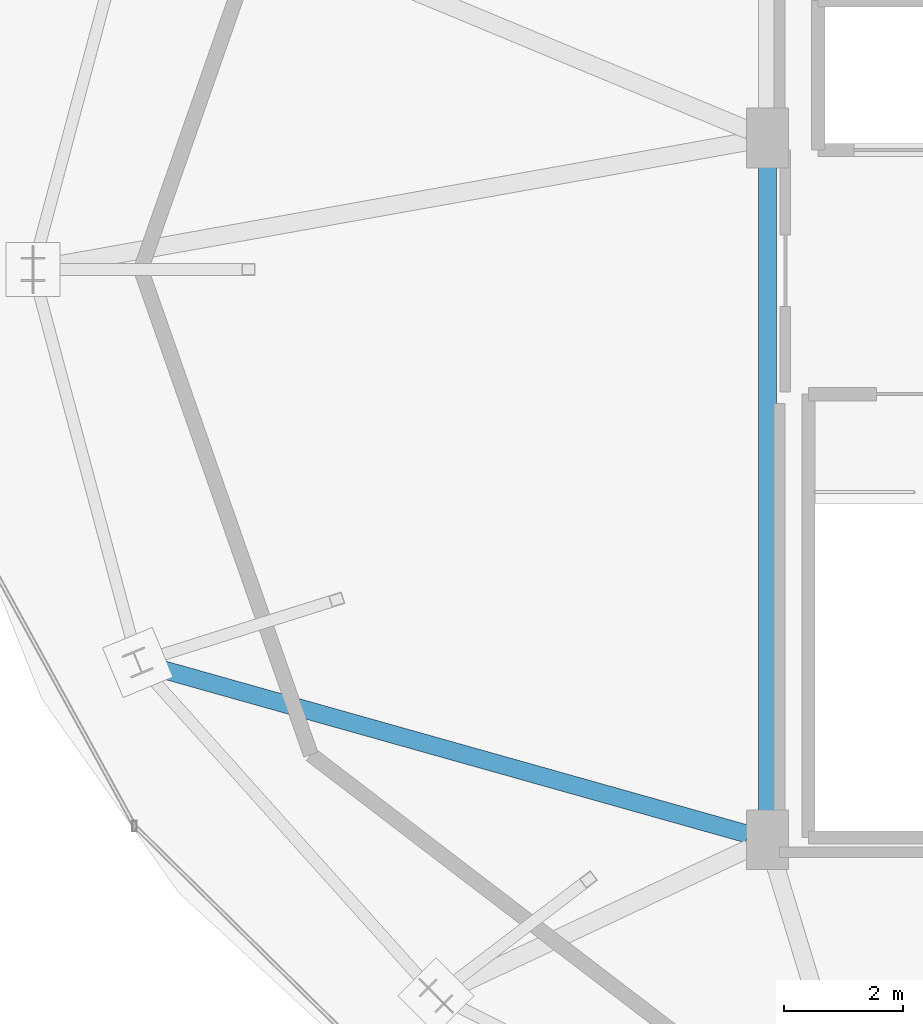
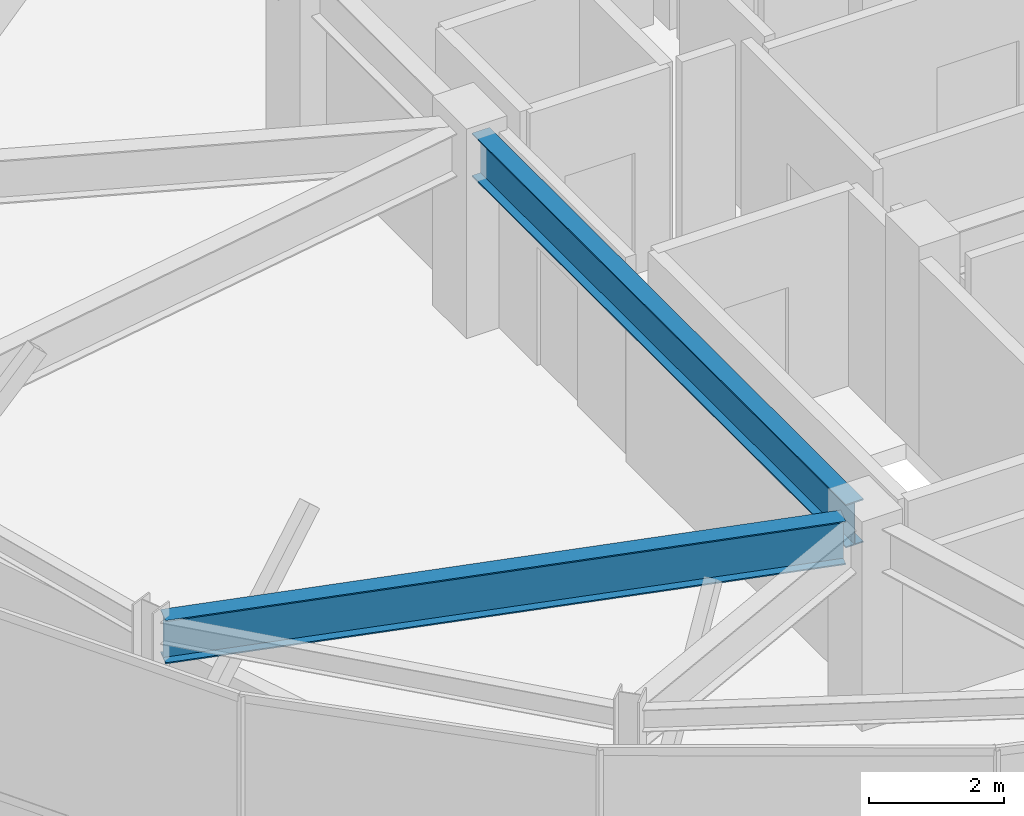
# One storey, part 5 of 28: 2 beams.
"""IFC4 building model written with IfcOpenShell, lengths in metres."""

from ifc_helpers import new_model, si_unit, direction, frame, origin, origin_2d, place, context, subcontext, project, spatial, i_section, extrude, material, material_profile, profile_set, type_object, element, save


model = new_model("IFC4")

# Units and contexts
model_context = context("Model", 3, precision=1e-05, world=origin(), true_north=direction((0.0, 1.0)))
body_context = subcontext(model_context, "Body", "Model", "MODEL_VIEW")
ifc_project = project(units=[si_unit("LENGTHUNIT", "METRE"), si_unit("AREAUNIT", "SQUARE_METRE"), si_unit("VOLUMEUNIT", "CUBIC_METRE"), si_unit("PLANEANGLEUNIT", "RADIAN"), si_unit("MASSUNIT", "GRAM", prefix="KILO")], contexts=[model_context])

# Site, building, storey
site_placement = place(None, origin())
site = spatial("IfcSite", under=ifc_project, at=site_placement, CompositionType="ELEMENT")
building_placement = place(site_placement, origin())
building = spatial("IfcBuilding", under=site, at=building_placement, Name="Vorneva Point Tower", CompositionType="ELEMENT")
storey_placement = place(building_placement, frame((0.0, 0.0, 295.39990234375)))
storey = spatial("IfcBuildingStorey", under=building, at=storey_placement, Name="C01", CompositionType="ELEMENT", Elevation=295.39990234375)

# Beams
ifc_material = material(Name="Steel S355", Category="steel")
ifc_material_profile = material_profile(ifc_material, i_section(OverallWidth=0.300048828125, OverallDepth=0.7880859375, WebThickness=0.014404296875, FlangeThickness=0.02197265625, at=origin_2d()), Name="80Sh1")
ifc_profile_set = profile_set([ifc_material_profile], Name="Steel S355")
beam_type = type_object("IfcBeamType", Name="BM-GRD-80Sh1", PredefinedType="USERDEFINED", material=ifc_profile_set)
beam_1_placement = place(storey_placement, frame((16.885498046875, 19.366943359375, 3.156005859375), z_axis=(0.962600577893, -0.270924578877, 0.0), x_axis=(0.270924578877, 0.962600577893, 0.0)))
element("IfcBeam", 1, at=beam_1_placement, inside=storey, type_object=beam_type, Name="C01 Radial Primary Girder 10", ObjectType="GIRDER", PredefinedType="USERDEFINED", context=body_context, shape_type="SweptSolid", body=[
    extrude(i_section(OverallWidth=0.300048828125, OverallDepth=0.7880859375, WebThickness=0.014404296875, FlangeThickness=0.02197265625, at=origin_2d()), origin(), (0.0, 0.0, 1.0), 10.427001953125),
])
beam_2_placement = place(storey_placement, frame((27.25, 16.77001953125, 3.156005859375), z_axis=(0.0, 1.0, 0.0), x_axis=(-1.0, 0.0, 0.0)))
element("IfcBeam", 2, at=beam_2_placement, inside=storey, type_object=beam_type, Name="C01 Core Tie Girder CT1", ObjectType="GIRDER", PredefinedType="USERDEFINED", context=body_context, shape_type="SweptSolid", body=[
    extrude(i_section(OverallWidth=0.300048828125, OverallDepth=0.7880859375, WebThickness=0.014404296875, FlangeThickness=0.02197265625, at=origin_2d()), origin(), (0.0, 0.0, 1.0), 11.10986328125),
])

save(model, "model.ifc")
